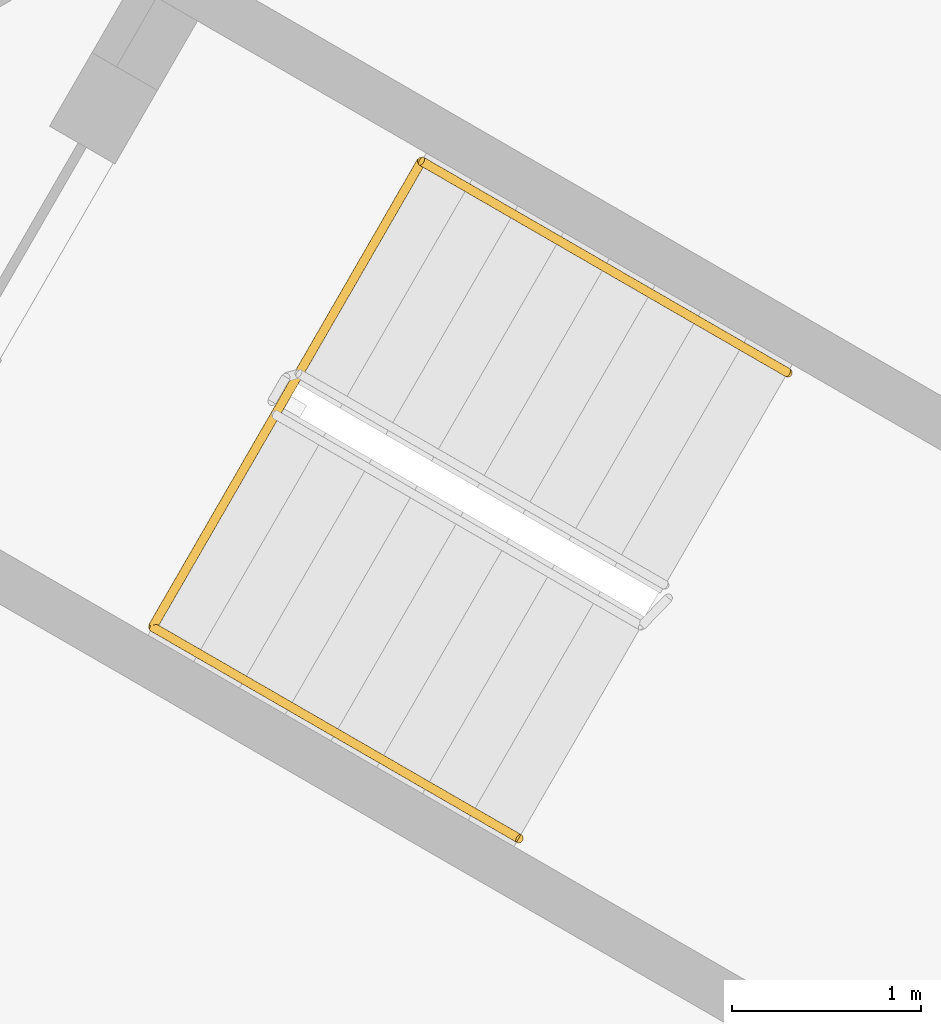
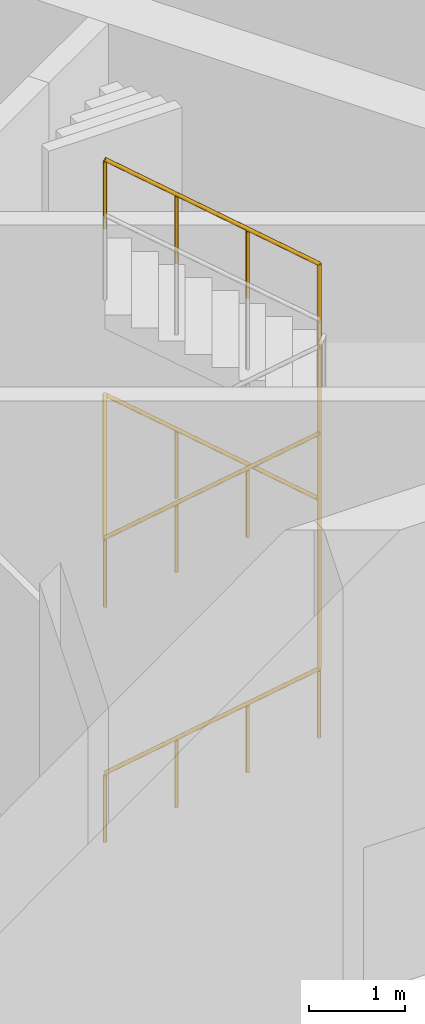
# One storey, part 15 of 15: 1 railing.
"""IFC4 building model written with IfcOpenShell, lengths in metres."""

from ifc_helpers import new_model, si_unit, direction, frame, origin, origin_2d, place, context, subcontext, project, spatial, circle, extrude, material, type_object, element, save


model = new_model("IFC4")

# Units and contexts
model_context = context("Model", 3, precision=1e-05, world=origin(), true_north=direction((0.0, 1.0)))
body_context = subcontext(model_context, "Body", "Model", "MODEL_VIEW")
ifc_project = project(units=[si_unit("LENGTHUNIT", "METRE"), si_unit("AREAUNIT", "SQUARE_METRE"), si_unit("VOLUMEUNIT", "CUBIC_METRE"), si_unit("PLANEANGLEUNIT", "RADIAN"), si_unit("MASSUNIT", "GRAM", prefix="KILO")], contexts=[model_context])

# Site, building, storey
site_placement = place(None, origin())
site = spatial("IfcSite", under=ifc_project, at=site_placement, CompositionType="ELEMENT")
building_placement = place(site_placement, origin())
building = spatial("IfcBuilding", under=site, at=building_placement, Name="Mestral Congress Tower", CompositionType="ELEMENT")
storey_placement = place(building_placement, frame((0.0, 0.0, 321.60009765625)))
storey = spatial("IfcBuildingStorey", under=building, at=storey_placement, Name="L75", CompositionType="ELEMENT", Elevation=321.60009765625)

# Railing
ifc_material = material(Name="Steel handrail", Category="steel")
railing_type = type_object("IfcRailingType", Name="Stair handrail 900", PredefinedType="HANDRAIL", material=ifc_material)
railing_placement = place(storey_placement, frame((8.2509765625, -6.4091796875, 0.16650390625)))
element("IfcRailing", 1, at=railing_placement, inside=storey, type_object=railing_type, Name="L75 ST1 stair handrail 1", PredefinedType="HANDRAIL", context=body_context, shape_type="SweptSolid", body=[
    extrude(circle(Radius=0.02392578125, at=origin_2d()), frame((0.0, 0.0, 0.8759765625), z_axis=(0.744127094489, -0.429617493068, 0.511569816249), x_axis=(0.49999608499, 0.866027664105, 0.0)), (0.0, 0.0, 1.0), 2.606689453125),
    extrude(circle(Radius=0.02392578125, at=origin_2d()), frame((1.939697265625, -1.119873046875, 2.20947265625), z_axis=(0.0, 0.0, 1.0), x_axis=(1.0, 0.0, 0.0)), (0.0, 0.0, 1.0), 3.0),
    extrude(circle(Radius=0.02392578125, at=origin_2d()), frame((1.939697265625, -1.119873046875, 5.20947265625), z_axis=(-0.744127094489, 0.429617493068, -0.511569816249), x_axis=(-0.49999608499, -0.866027664105, 0.0)), (0.0, 0.0, 1.0), 2.606689453125),
    extrude(circle(Radius=0.02392578125, at=origin_2d()), frame((0.0, 0.0, 3.8759765625), z_axis=(0.499084011405, 0.864588648956, -0.058323388584), x_axis=(-0.866062911188, 0.499935029643, 0.0)), (0.0, 0.0, 1.0), 2.854736328125),
    extrude(circle(Radius=0.02392578125, at=origin_2d()), frame((1.4248046875, 2.46826171875, 3.70947265625), z_axis=(0.744138947067, -0.429663917587, -0.511513582794), x_axis=(0.500030632641, 0.866007717299, 0.0)), (0.0, 0.0, 1.0), 2.60693359375),
    extrude(circle(Radius=0.02392578125, at=origin_2d()), frame((3.36474609375, 1.34814453125, 2.3759765625), z_axis=(0.0, 0.0, 1.0), x_axis=(1.0, 0.0, 0.0)), (0.0, 0.0, 1.0), 3.0),
    extrude(circle(Radius=0.02392578125, at=origin_2d()), frame((3.36474609375, 1.34814453125, 5.3759765625), z_axis=(-0.744138947067, 0.429663917587, 0.511513582794), x_axis=(-0.500030632641, -0.866007717299, 0.0)), (0.0, 0.0, 1.0), 2.60693359375),
    extrude(circle(Radius=0.02099609375, at=origin_2d()), origin(), (0.0, 0.0, 1.0), 0.851806640625),
    extrude(circle(Radius=0.02099609375, at=origin_2d()), frame((0.646484375, -0.373291015625, 0.444580078125)), (0.0, 0.0, 1.0), 0.851806640625),
    extrude(circle(Radius=0.02099609375, at=origin_2d()), frame((1.293212890625, -0.74658203125, 0.888916015625)), (0.0, 0.0, 1.0), 0.851806640625),
    extrude(circle(Radius=0.02099609375, at=origin_2d()), frame((1.939697265625, -1.119873046875, 1.33349609375)), (0.0, 0.0, 1.0), 0.851806640625),
    extrude(circle(Radius=0.02099609375, at=origin_2d()), frame((1.939697265625, -1.119873046875, 2.33349609375)), (0.0, 0.0, 1.0), 0.851806640625),
    extrude(circle(Radius=0.02099609375, at=origin_2d()), frame((1.939697265625, -1.119873046875, 3.33349609375)), (0.0, 0.0, 1.0), 0.851806640625),
    extrude(circle(Radius=0.02099609375, at=origin_2d()), frame((1.939697265625, -1.119873046875, 4.33349609375)), (0.0, 0.0, 1.0), 0.851806640625),
    extrude(circle(Radius=0.02099609375, at=origin_2d()), frame((1.293212890625, -0.74658203125, 3.888916015625)), (0.0, 0.0, 1.0), 0.851806640625),
    extrude(circle(Radius=0.02099609375, at=origin_2d()), frame((0.646484375, -0.373291015625, 3.444580078125)), (0.0, 0.0, 1.0), 0.851806640625),
    extrude(circle(Radius=0.02099609375, at=origin_2d()), frame((0.0, 0.0, 3.0)), (0.0, 0.0, 1.0), 0.851806640625),
    extrude(circle(Radius=0.02099609375, at=origin_2d()), frame((0.474853515625, 0.82275390625, 2.944580078125)), (0.0, 0.0, 1.0), 0.851806640625),
    extrude(circle(Radius=0.02099609375, at=origin_2d()), frame((0.949951171875, 1.6455078125, 2.888916015625)), (0.0, 0.0, 1.0), 0.851806640625),
    extrude(circle(Radius=0.02099609375, at=origin_2d()), frame((1.4248046875, 2.46826171875, 2.83349609375)), (0.0, 0.0, 1.0), 0.851806640625),
    extrude(circle(Radius=0.02099609375, at=origin_2d()), frame((2.071533203125, 2.094970703125, 2.388916015625)), (0.0, 0.0, 1.0), 0.851806640625),
    extrude(circle(Radius=0.02099609375, at=origin_2d()), frame((2.718017578125, 1.721435546875, 1.944580078125)), (0.0, 0.0, 1.0), 0.851806640625),
    extrude(circle(Radius=0.02099609375, at=origin_2d()), frame((3.36474609375, 1.34814453125, 1.5)), (0.0, 0.0, 1.0), 0.851806640625),
    extrude(circle(Radius=0.02099609375, at=origin_2d()), frame((3.36474609375, 1.34814453125, 2.5)), (0.0, 0.0, 1.0), 0.851806640625),
    extrude(circle(Radius=0.02099609375, at=origin_2d()), frame((3.36474609375, 1.34814453125, 3.5)), (0.0, 0.0, 1.0), 0.851806640625),
    extrude(circle(Radius=0.02099609375, at=origin_2d()), frame((3.36474609375, 1.34814453125, 4.5)), (0.0, 0.0, 1.0), 0.851806640625),
    extrude(circle(Radius=0.02099609375, at=origin_2d()), frame((2.718017578125, 1.721435546875, 4.944580078125)), (0.0, 0.0, 1.0), 0.851806640625),
    extrude(circle(Radius=0.02099609375, at=origin_2d()), frame((2.071533203125, 2.094970703125, 5.388916015625)), (0.0, 0.0, 1.0), 0.851806640625),
    extrude(circle(Radius=0.02099609375, at=origin_2d()), frame((1.4248046875, 2.46826171875, 5.83349609375)), (0.0, 0.0, 1.0), 0.851806640625),
])

save(model, "model.ifc")
